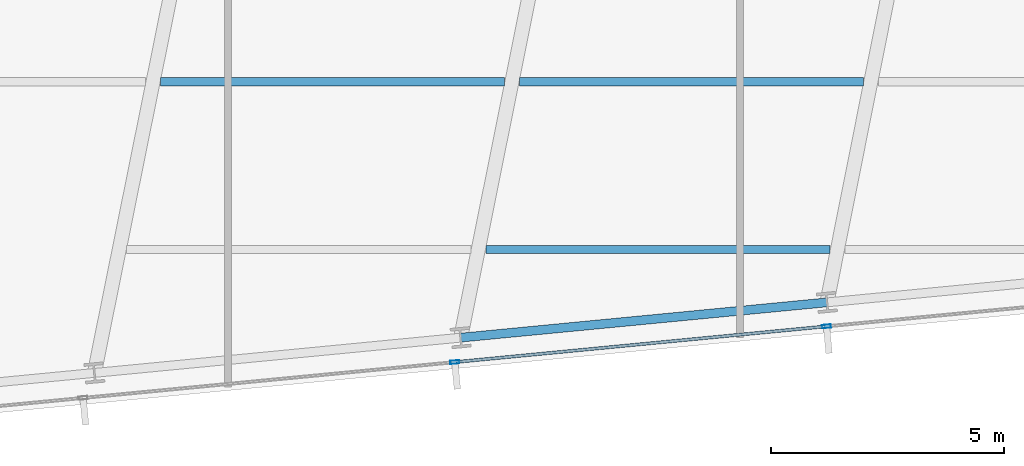
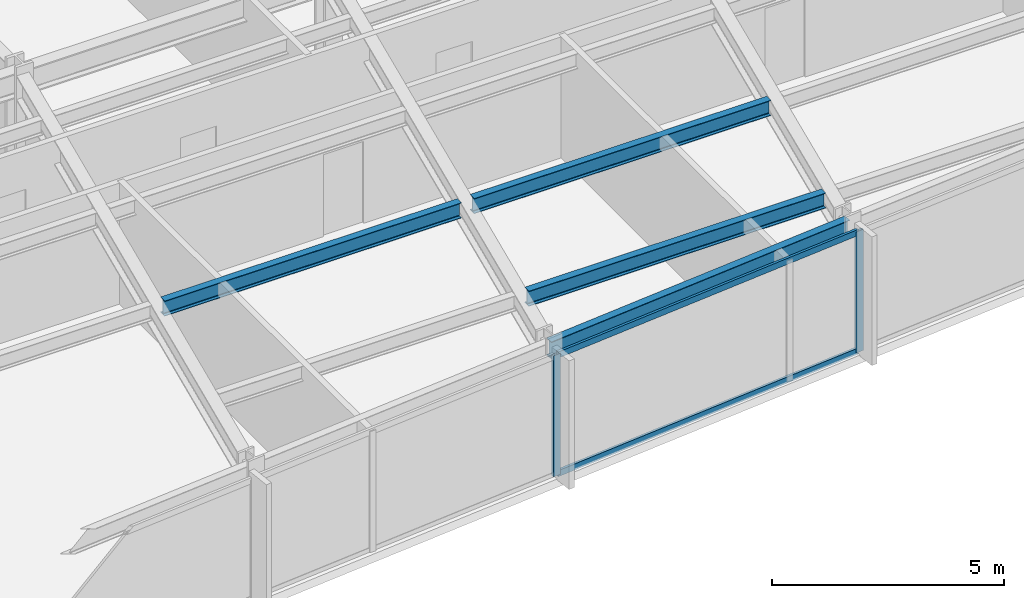
# One storey, part 4 of 33: 4 beams, 4 members, 1 element without a shape of its own.
"""IFC4 building model written with IfcOpenShell, lengths in metres."""

from ifc_helpers import new_model, si_unit, direction, frame, origin, origin_2d, place, context, subcontext, project, spatial, hollow_rectangle, i_section, extrude, material, material_profile, profile_set, type_object, element, aggregate, save


model = new_model("IFC4")

# Units and contexts
model_context = context("Model", 3, precision=1e-05, world=origin(), true_north=direction((0.0, 1.0)))
body_context = subcontext(model_context, "Body", "Model", "MODEL_VIEW")
ifc_project = project(units=[si_unit("LENGTHUNIT", "METRE"), si_unit("AREAUNIT", "SQUARE_METRE"), si_unit("VOLUMEUNIT", "CUBIC_METRE"), si_unit("PLANEANGLEUNIT", "RADIAN"), si_unit("MASSUNIT", "GRAM", prefix="KILO")], contexts=[model_context])

# Site, building, storey
site_placement = place(None, origin())
site = spatial("IfcSite", under=ifc_project, at=site_placement, CompositionType="ELEMENT")
building_placement = place(site_placement, origin())
building = spatial("IfcBuilding", under=site, at=building_placement, Name="Yelkora Congress Tower", CompositionType="ELEMENT")
storey_placement = place(building_placement, frame((0.0, 0.0, 123.699951171875)))
storey = spatial("IfcBuildingStorey", under=building, at=storey_placement, Name="L33", CompositionType="ELEMENT", Elevation=123.699951171875)

# Beams
ifc_material_1 = material(Name="Steel S355J2", Category="steel")
ifc_material_profile_1 = material_profile(ifc_material_1, i_section(OverallWidth=0.179931640625, OverallDepth=0.39990234375, WebThickness=0.008544921875, FlangeThickness=0.013427734375, FilletRadius=0.02099609375, at=origin_2d()), Name="IPE 400")
ifc_profile_set_1 = profile_set([ifc_material_profile_1], Name="Steel S355J2")
beam_type_1 = type_object("IfcBeamType", Name="BM-JOIST-IPE400", PredefinedType="JOIST", material=ifc_profile_set_1)
beam_1_placement = place(storey_placement, frame((36.023193359375, 12.54443359375, 2.97998046875), z_axis=(1.0, 0.0, 0.0), x_axis=(0.0, 1.0, 0.0)))
element("IfcBeam", 1, at=beam_1_placement, inside=storey, type_object=beam_type_1, Name="L33 Composite Floor Joist 2", PredefinedType="JOIST", context=body_context, shape_type="SweptSolid", body=[
    extrude(i_section(OverallWidth=0.179931640625, OverallDepth=0.39990234375, WebThickness=0.008544921875, FlangeThickness=0.013427734375, FilletRadius=0.02099609375, at=origin_2d()), origin(), (0.0, 0.0, 1.0), 7.37646484375),
])
beam_2_placement = place(storey_placement, frame((29.05419921875, 16.144287109375, 2.97998046875), z_axis=(1.0, 0.0, 0.0), x_axis=(0.0, 1.0, 0.0)))
element("IfcBeam", 2, at=beam_2_placement, inside=storey, type_object=beam_type_1, Name="L33 Composite Floor Joist 5", PredefinedType="JOIST", context=body_context, shape_type="SweptSolid", body=[
    extrude(i_section(OverallWidth=0.179931640625, OverallDepth=0.39990234375, WebThickness=0.008544921875, FlangeThickness=0.013427734375, FilletRadius=0.02099609375, at=origin_2d()), origin(), (0.0, 0.0, 1.0), 7.37060546875),
])
beam_3_placement = place(storey_placement, frame((36.744873046875, 16.144287109375, 2.97998046875), z_axis=(1.0, 0.0, 0.0), x_axis=(0.0, 1.0, 0.0)))
element("IfcBeam", 3, at=beam_3_placement, inside=storey, type_object=beam_type_1, Name="L33 Composite Floor Joist 6", PredefinedType="JOIST", context=body_context, shape_type="SweptSolid", body=[
    extrude(i_section(OverallWidth=0.179931640625, OverallDepth=0.39990234375, WebThickness=0.008544921875, FlangeThickness=0.013427734375, FilletRadius=0.02099609375, at=origin_2d()), origin(), (0.0, 0.0, 1.0), 7.371826171875),
])
ifc_material_profile_2 = material_profile(ifc_material_1, i_section(OverallWidth=0.18994140625, OverallDepth=0.449951171875, WebThickness=0.009521484375, FlangeThickness=0.0146484375, FilletRadius=0.02099609375, at=origin_2d()), Name="IPE 450")
ifc_profile_set_2 = profile_set([ifc_material_profile_2], Name="Steel S355J2")
beam_type_2 = type_object("IfcBeamType", Name="BM-SPAN-IPE450", PredefinedType="SPANDREL", material=ifc_profile_set_2)
beam_4_placement = place(storey_placement, frame((35.48486328125, 10.656005859375, 2.955078125), z_axis=(0.995395575667, 0.095852219286, 0.0), x_axis=(-0.095852219286, 0.995395575667, 0.0)))
element("IfcBeam", 4, at=beam_4_placement, inside=storey, type_object=beam_type_2, Name="L33 Perimeter Beam 5", PredefinedType="SPANDREL", context=body_context, shape_type="SweptSolid", body=[
    extrude(i_section(OverallWidth=0.18994140625, OverallDepth=0.449951171875, WebThickness=0.009521484375, FlangeThickness=0.0146484375, FilletRadius=0.02099609375, at=origin_2d()), origin(), (0.0, 0.0, 1.0), 7.8857421875),
])

# Curtain wall, members
ifc_material_2 = material(Name="Anodised aluminium and insulated glass", Category="aluminium")
curtain_wall_type = type_object("IfcCurtainWallType", Name="CW-SYS-B2", PredefinedType="NOTDEFINED", material=ifc_material_2)
curtain_wall_placement = place(storey_placement, origin())
curtain_wall = element("IfcCurtainWall", 5, at=curtain_wall_placement, inside=storey, type_object=curtain_wall_type, Name="L33 Unitised Curtain Wall 20", PredefinedType="NOTDEFINED")
ifc_material_3 = material(Name="Anodised aluminium 6063-T6", Category="aluminium")
ifc_material_profile_3 = material_profile(ifc_material_3, hollow_rectangle(XDim=0.070068359375, YDim=0.18994140625, WallThickness=0.00390625, at=origin_2d()), Name="ALU 70x190x4")
ifc_profile_set_3 = profile_set([ifc_material_profile_3], Name="Anodised aluminium 6063-T6")
member_type_1 = type_object("IfcMemberType", Name="MEM-ML-B2", PredefinedType="MULLION", material=ifc_profile_set_3)
member_1_placement = place(storey_placement, frame((43.32470703125, 10.898681640625, 0.0), z_axis=(0.0, 0.0, 1.0), x_axis=(0.095844345816, -0.995396333816, 0.0)))
member_1 = element("IfcMember", 6, at=member_1_placement, type_object=member_type_1, Name="CW-B2 mullion 5", PredefinedType="MULLION", context=body_context, shape_type="SweptSolid", body=[
    extrude(hollow_rectangle(XDim=0.070068359375, YDim=0.18994140625, WallThickness=0.00390625, at=origin_2d()), origin(), (0.0, 0.0, 1.0), 3.179931640625),
])
member_2_placement = place(storey_placement, frame((35.358642578125, 10.131591796875, 0.0), z_axis=(0.0, 0.0, 1.0), x_axis=(0.095844345816, -0.995396333816, 0.0)))
member_2 = element("IfcMember", 7, at=member_2_placement, type_object=member_type_1, Name="CW-B2 mullion 6", PredefinedType="MULLION", context=body_context, shape_type="SweptSolid", body=[
    extrude(hollow_rectangle(XDim=0.070068359375, YDim=0.18994140625, WallThickness=0.00390625, at=origin_2d()), origin(), (0.0, 0.0, 1.0), 3.179931640625),
])
ifc_material_profile_4 = material_profile(ifc_material_3, hollow_rectangle(XDim=0.06494140625, YDim=0.159912109375, WallThickness=0.00390625, at=origin_2d()), Name="ALU 65x160x4")
ifc_profile_set_4 = profile_set([ifc_material_profile_4], Name="Anodised aluminium 6063-T6")
member_type_2 = type_object("IfcMemberType", Name="MEM-TR-B2", PredefinedType="USERDEFINED", material=ifc_profile_set_4)
member_3_placement = place(storey_placement, frame((43.289794921875, 10.895263671875, 0.032470703125), z_axis=(-0.995397010735, -0.095837315383, 0.0), x_axis=(0.095837315383, -0.995397010735, 0.0)))
member_3 = element("IfcMember", 8, at=member_3_placement, type_object=member_type_2, Name="CW-B2 transom 5.1", ObjectType="TRANSOM", PredefinedType="USERDEFINED", context=body_context, shape_type="SweptSolid", body=[
    extrude(hollow_rectangle(XDim=0.06494140625, YDim=0.159912109375, WallThickness=0.00390625, at=origin_2d()), origin(), (0.0, 0.0, 1.0), 7.932861328125),
])
member_4_placement = place(storey_placement, frame((43.289794921875, 10.895263671875, 3.1474609375), z_axis=(-0.995397010735, -0.095837315383, 0.0), x_axis=(0.095837315383, -0.995397010735, 0.0)))
member_4 = element("IfcMember", 9, at=member_4_placement, type_object=member_type_2, Name="CW-B2 transom 5.2", ObjectType="TRANSOM", PredefinedType="USERDEFINED", context=body_context, shape_type="SweptSolid", body=[
    extrude(hollow_rectangle(XDim=0.06494140625, YDim=0.159912109375, WallThickness=0.00390625, at=origin_2d()), origin(), (0.0, 0.0, 1.0), 7.932861328125),
])
aggregate(curtain_wall, [member_1, member_2, member_3, member_4])

save(model, "model.ifc")
